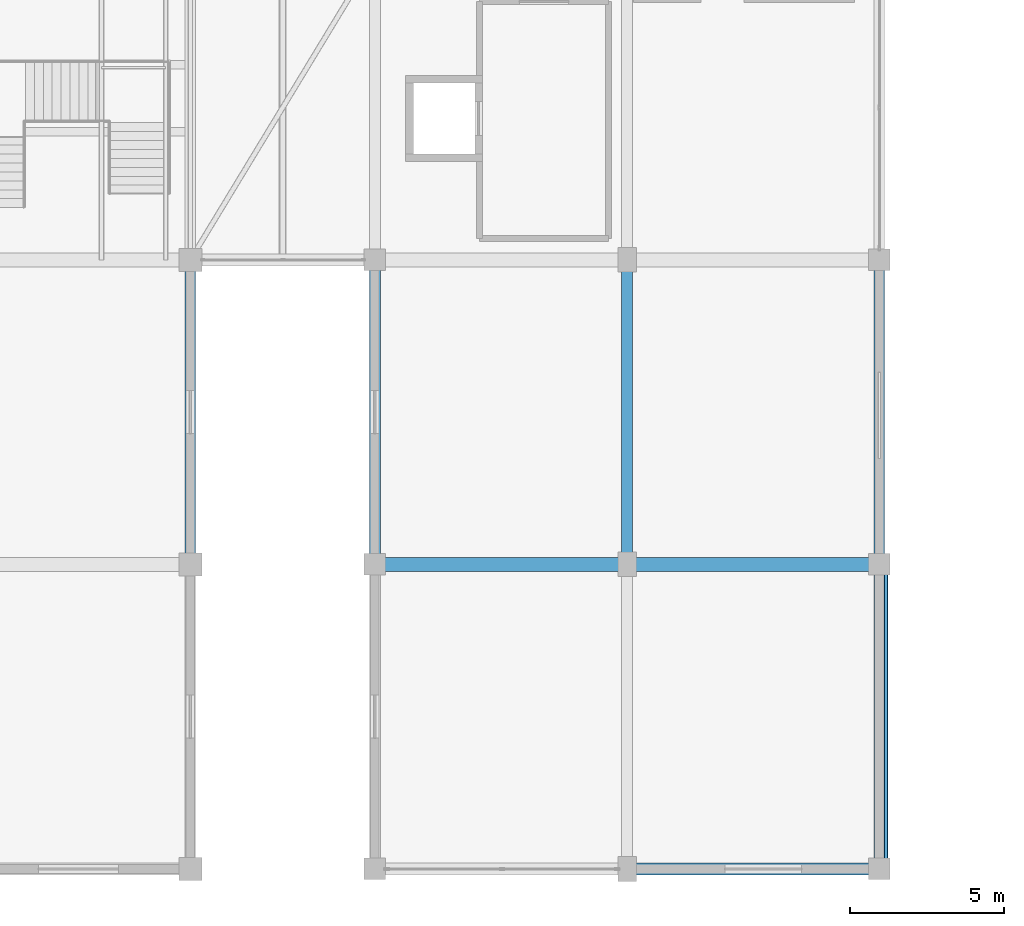
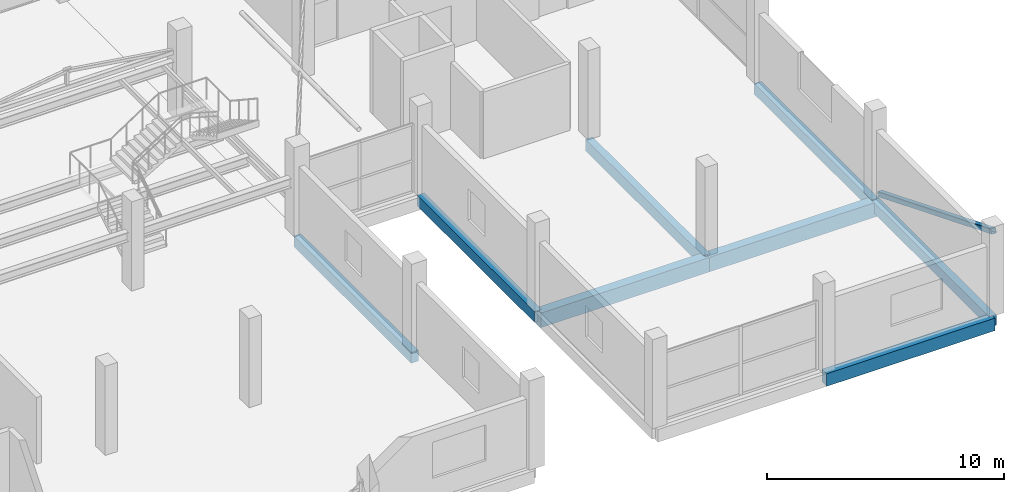
# One storey, part 14 of 55: 8 beams, 1 member.
"""IFC4 building model written with IfcOpenShell, lengths in metres."""

import ifcopenshell
import ifcopenshell.guid

model = None  # the IFC model being written
_history = None  # IfcOwnerHistory: only IFC2X3 demands one
_inside = {}  # id of a spatial element -> (the spatial element, [elements in it])
_under = {}  # id of a project, library or spatial element -> (it, [spatial elements below it])
_declared = {}  # id of a project -> (the project, [libraries it declares])
_typed = {}  # id of a type object -> (the type object, [elements of that type])
_made_of = {}  # id of a material, layer set ... -> (it, [elements and type objects made of it])


def new_model(schema):
    """Start an empty IFC model of exactly this schema.

    Asked for "IFC4X3", IfcOpenShell would pick the latest addendum, in which some entities
    have other attributes; the version numbers below select the first issue.
    IFC2X3 requires an IfcOwnerHistory on every rooted entity: one is made here for all.
    """
    global model, _history
    if schema == "IFC4X3":
        model = ifcopenshell.file(schema_version=(4, 3, 0, 0))
    else:
        model = ifcopenshell.file(schema=schema)
    _inside.clear()
    _under.clear()
    _declared.clear()
    _typed.clear()
    _made_of.clear()
    _history = None
    if model.schema == "IFC2X3":
        org = make("IfcOrganization", Name="unknown")
        user = make(
            "IfcPersonAndOrganization",
            ThePerson=make("IfcPerson", FamilyName="unknown"),
            TheOrganization=org,
        )
        app = make(
            "IfcApplication",
            ApplicationDeveloper=org,
            Version="unknown",
            ApplicationFullName="unknown",
            ApplicationIdentifier="unknown",
        )
        _history = make(
            "IfcOwnerHistory",
            OwningUser=user,
            OwningApplication=app,
            ChangeAction="ADDED",
            CreationDate=0,
        )
    return model


def make(cls, **values):
    """One entity of the class cls with the attributes given. An attribute that is None is left unset."""
    return model.create_entity(
        cls, **{name: value for name, value in values.items() if value is not None}
    )


def rooted(cls, **values):
    """An entity with a GlobalId (a new one), such as an element, a storey or a relation."""
    return make(cls, GlobalId=ifcopenshell.guid.new(), OwnerHistory=_history, **values)


def si_unit(unit_type, name, prefix=None):
    """IfcSIUnit, for example si_unit("LENGTHUNIT", "METRE", prefix="MILLI")."""
    return make("IfcSIUnit", UnitType=unit_type, Prefix=prefix, Name=name)


def assignment(units):
    """IfcUnitAssignment: the units of a project."""
    return None if units is None else make("IfcUnitAssignment", Units=units)


def point(xyz):
    """IfcCartesianPoint."""
    return None if xyz is None else make("IfcCartesianPoint", Coordinates=xyz)


def direction(xyz):
    """IfcDirection."""
    return None if xyz is None else make("IfcDirection", DirectionRatios=xyz)


def frame(location, z_axis=None, x_axis=None):
    """IfcAxis2Placement3D, a coordinate frame: its origin and axes. An axis left out is left unset."""
    return make(
        "IfcAxis2Placement3D",
        Location=point(location),
        Axis=direction(z_axis),
        RefDirection=direction(x_axis),
    )


def frame_2d(location, x_axis=None):
    """IfcAxis2Placement2D, a coordinate frame in the plane: its origin and x axis."""
    return make(
        "IfcAxis2Placement2D", Location=point(location), RefDirection=direction(x_axis)
    )


def origin():
    """The frame at (0, 0, 0) with its axes left unset."""
    return frame((0.0, 0.0, 0.0))


def origin_2d():
    """The frame at (0, 0) in the plane with its x axis left unset."""
    return frame_2d((0.0, 0.0))


def place(relative_to, where):
    """IfcLocalPlacement: puts the frame where relative to a parent placement (None: the world)."""
    return make(
        "IfcLocalPlacement", PlacementRelTo=relative_to, RelativePlacement=where
    )


def context(
    kind, dimensions, precision=None, world=None, true_north=None, identifier=None
):
    """IfcGeometricRepresentationContext, for example the 3D "Model" context."""
    return make(
        "IfcGeometricRepresentationContext",
        ContextIdentifier=identifier,
        ContextType=kind,
        CoordinateSpaceDimension=dimensions,
        Precision=precision,
        WorldCoordinateSystem=world,
        TrueNorth=true_north,
    )


def subcontext(parent, identifier, kind, view, scale=None):
    """IfcGeometricRepresentationSubContext, for example "Body" below "Model"."""
    return make(
        "IfcGeometricRepresentationSubContext",
        ContextIdentifier=identifier,
        ContextType=kind,
        ParentContext=parent,
        TargetScale=scale,
        TargetView=view,
    )


def project(units=None, contexts=None):
    """IfcProject with its units and contexts."""
    return rooted(
        "IfcProject",
        Name="project",
        RepresentationContexts=contexts,
        UnitsInContext=assignment(units),
    )


def spatial(cls, under=None, at=None, **own):
    """A site, building, storey or space (cls), placed at a placement, below another one or the project."""
    s = rooted(cls, ObjectPlacement=at, **own)
    if under is not None:
        _under.setdefault(under.id(), (under, []))[1].append(s)
    return s


def profile(cls, at=None, kind="AREA", **sizes):
    """A parametric profile (cls). Its sizes go by their IFC names, for example OverallWidth=200.0."""
    return make(cls, ProfileType=kind, Position=at, **sizes)


def rectangle(**sizes):
    """IfcRectangleProfileDef."""
    return profile("IfcRectangleProfileDef", **sizes)


def hollow_rectangle(**sizes):
    """IfcRectangleHollowProfileDef."""
    return profile("IfcRectangleHollowProfileDef", **sizes)


def extrude(swept, where, along, depth):
    """IfcExtrudedAreaSolid: the profile swept, set in the frame where, extruded along a direction by depth."""
    return make(
        "IfcExtrudedAreaSolid",
        SweptArea=swept,
        Position=where,
        ExtrudedDirection=direction(along),
        Depth=depth,
    )


def shape(context_of_items, identifier, shape_type, items):
    """IfcShapeRepresentation: the items that make up one representation, for example the "Body"."""
    return make(
        "IfcShapeRepresentation",
        ContextOfItems=context_of_items,
        RepresentationIdentifier=identifier,
        RepresentationType=shape_type,
        Items=items,
    )


def material(Name=None, Category=None):
    """IfcMaterial."""
    return make("IfcMaterial", Name=Name, Category=Category)


def material_profile(
    of_material, cross_section, Name=None, Category=None, Priority=None
):
    """IfcMaterialProfile: a cross section and its material."""
    return make(
        "IfcMaterialProfile",
        Name=Name,
        Material=of_material,
        Profile=cross_section,
        Priority=Priority,
        Category=Category,
    )


def profile_set(profiles, Name=None, composite=None):
    """IfcMaterialProfileSet."""
    return make(
        "IfcMaterialProfileSet",
        Name=Name,
        MaterialProfiles=profiles,
        CompositeProfile=composite,
    )


def made_of(thing, what):
    """Note that an element or type object is made of a material, layer set ...; save() writes the relation."""
    if what is not None:
        _made_of.setdefault(what.id(), (what, []))[1].append(thing)
    return thing


def type_object(cls, material=None, **own):
    """A type object (cls), such as IfcWallType, which elements share."""
    return made_of(rooted(cls, **own), material)


def element(
    cls,
    number,
    at=None,
    inside=None,
    cuts=None,
    type_object=None,
    material=None,
    context=None,
    identifier="Body",
    shape_type=None,
    held_by="IfcProductDefinitionShape",
    body=None,
    shapes=None,
    **own,
):
    """One element of the class cls, such as IfcWall. Its Tag is "e" and its number.

    at: its placement. inside: the storey or other place that contains it. cuts: it is an
    opening in that element (IfcRelVoidsElement). A single representation is given by context,
    identifier, shape_type and body (its items); several are given by shapes. held_by: the class
    of the entity that holds the representations. save() writes the other relations.
    """
    e = rooted(cls, Tag="e%d" % number, ObjectPlacement=at, **own)
    if body is not None:
        shapes = [shape(context, identifier, shape_type, body)]
    if shapes is not None:
        e.Representation = make(held_by, Representations=shapes)
    if inside is not None:
        _inside.setdefault(inside.id(), (inside, []))[1].append(e)
    if cuts is not None:
        rooted(
            "IfcRelVoidsElement", RelatingBuildingElement=cuts, RelatedOpeningElement=e
        )
    if type_object is not None:
        _typed.setdefault(type_object.id(), (type_object, []))[1].append(e)
    return made_of(e, material)


def aggregate(whole, parts):
    """IfcRelAggregates: a whole, such as a stair, and the parts it consists of."""
    return rooted("IfcRelAggregates", RelatingObject=whole, RelatedObjects=parts)


def save(model, path):
    """Write the relations noted so far, then the file.

    IfcRelAggregates (storeys below a building ...), IfcRelContainedInSpatialStructure (elements
    in a storey), IfcRelDefinesByType, IfcRelAssociatesMaterial and IfcRelDeclares: one each for
    every whole, place, type object, material and project.
    """
    for whole, parts in _under.values():
        aggregate(whole, parts)
    for where, things in _inside.values():
        rooted(
            "IfcRelContainedInSpatialStructure",
            RelatedElements=things,
            RelatingStructure=where,
        )
    for kind, things in _typed.values():
        rooted("IfcRelDefinesByType", RelatedObjects=things, RelatingType=kind)
    for what, things in _made_of.values():
        rooted("IfcRelAssociatesMaterial", RelatedObjects=things, RelatingMaterial=what)
    for by, libraries in _declared.values():
        rooted("IfcRelDeclares", RelatingContext=by, RelatedDefinitions=libraries)
    model.write(path)


model = new_model("IFC4")

# Units and contexts
model_context = context("Model", 3, precision=1e-05, world=origin(), true_north=direction((0.0, 1.0)))
body_context = subcontext(model_context, "Body", "Model", "MODEL_VIEW")
ifc_project = project(units=[si_unit("LENGTHUNIT", "METRE"), si_unit("AREAUNIT", "SQUARE_METRE"), si_unit("VOLUMEUNIT", "CUBIC_METRE"), si_unit("PLANEANGLEUNIT", "RADIAN"), si_unit("MASSUNIT", "GRAM", prefix="KILO")], contexts=[model_context])

# Site, building, storey
site_placement = place(None, origin())
site = spatial("IfcSite", under=ifc_project, at=site_placement, CompositionType="ELEMENT")
building_placement = place(site_placement, origin())
building = spatial("IfcBuilding", under=site, at=building_placement, Name="Sillaruma Civic Art Gallery", CompositionType="ELEMENT")
storey_placement = place(building_placement, frame((0.0, 0.0, 37.739990234375)))
storey = spatial("IfcBuildingStorey", under=building, at=storey_placement, Name="L07", CompositionType="ELEMENT", Elevation=37.739990234375)

# Beams
ifc_material_1 = material(Name="Concrete H35 (35 MPa)", Category="concrete")
ifc_material_profile_1 = material_profile(ifc_material_1, rectangle(XDim=0.35009765625, YDim=0.60009765625, at=origin_2d()), Name="RCB350x600")
ifc_profile_set_1 = profile_set([ifc_material_profile_1], Name="Concrete H35 (35 MPa)")
beam_type_1 = type_object("IfcBeamType", Name="BM-BEAM-RCB350x600", PredefinedType="BEAM", material=ifc_profile_set_1)
beam_1_placement = place(storey_placement, frame((106.199951171875, 29.699951171875, -0.5400390625), z_axis=(0.0, 1.0, 0.0), x_axis=(-1.0, 0.0, 0.0)))
element("IfcBeam", 1, at=beam_1_placement, inside=storey, type_object=beam_type_1, Name="Beam BM-06 (L06:M:4-5)", PredefinedType="BEAM", context=body_context, shape_type="SweptSolid", body=[
    extrude(rectangle(XDim=0.35009765625, YDim=0.60009765625, at=origin_2d()), origin(), (0.0, 0.0, 1.0), 9.900146484375),
])
ifc_material_2 = material(Name="Concrete H40 (40 MPa)", Category="concrete")
ifc_material_profile_2 = material_profile(ifc_material_2, rectangle(XDim=0.449951171875, YDim=0.75, at=origin_2d()), Name="RCB450x750")
ifc_profile_set_2 = profile_set([ifc_material_profile_2], Name="Concrete H40 (40 MPa)")
beam_type_2 = type_object("IfcBeamType", Name="BM-BEAM-RCB450x750", PredefinedType="BEAM", material=ifc_profile_set_2)
for number, where, z_axis, x_axis, name in (
    (2, (98.0, 29.699951171875, -0.614990234375), (1.0, 0.0, 0.0), (0.0, 1.0, 0.0), "Beam BM-03 (L06:4:L-M)"),
    (3, (106.199951171875, 29.699951171875, -0.614990234375), (1.0, 0.0, 0.0), (0.0, 1.0, 0.0), "Beam BM-03 (L06:4:M-N)"),
):
    element("IfcBeam", number, at=place(storey_placement, frame(where, z_axis=z_axis, x_axis=x_axis)), inside=storey, type_object=beam_type_2, Name=name, PredefinedType="BEAM", context=body_context, shape_type="SweptSolid", body=[
        extrude(rectangle(XDim=0.449951171875, YDim=0.75, at=origin_2d()), origin(), (0.0, 0.0, 1.0), 8.199951171875),
    ])
ifc_material_profile_3 = material_profile(ifc_material_1, rectangle(XDim=0.35009765625, YDim=0.550048828125, at=origin_2d()), Name="RCB350x550")
ifc_profile_set_3 = profile_set([ifc_material_profile_3], Name="Concrete H35 (35 MPa)")
beam_type_3 = type_object("IfcBeamType", Name="BM-SPANDREL-RCB350x550", PredefinedType="SPANDREL", material=ifc_profile_set_3)
for number, where, z_axis, x_axis, name in (
    (4, (92.0, 29.699951171875, -0.514892578125), (0.0, 1.0, 0.0), (-1.0, 0.0, 0.0), "Beam BS-04 (L06:K:4-5)"),
    (5, (98.0, 29.699951171875, -0.514892578125), (0.0, 1.0, 0.0), (-1.0, 0.0, 0.0), "Beam BS-04 (L06:L:4-5)"),
):
    element("IfcBeam", number, at=place(storey_placement, frame(where, z_axis=z_axis, x_axis=x_axis)), inside=storey, type_object=beam_type_3, Name=name, PredefinedType="SPANDREL", context=body_context, shape_type="SweptSolid", body=[
        extrude(rectangle(XDim=0.35009765625, YDim=0.550048828125, at=origin_2d()), origin(), (0.0, 0.0, 1.0), 9.900146484375),
    ])
beam_2_placement = place(storey_placement, frame((114.39990234375, 19.800048828125, -0.514892578125), z_axis=(0.0, 1.0, 0.0), x_axis=(-1.0, 0.0, 0.0)))
element("IfcBeam", 6, at=beam_2_placement, inside=storey, type_object=beam_type_3, Name="Beam BS-04 (L06:N:3-4)", PredefinedType="SPANDREL", context=body_context, shape_type="SweptSolid", body=[
    extrude(rectangle(XDim=0.35009765625, YDim=0.550048828125, at=origin_2d()), origin(), (0.0, 0.0, 1.0), 9.89990234375),
])
beam_3_placement = place(storey_placement, frame((114.39990234375, 29.699951171875, -0.514892578125), z_axis=(0.0, 1.0, 0.0), x_axis=(-1.0, 0.0, 0.0)))
element("IfcBeam", 7, at=beam_3_placement, inside=storey, type_object=beam_type_3, Name="Beam BS-04 (L06:N:4-5)", PredefinedType="SPANDREL", context=body_context, shape_type="SweptSolid", body=[
    extrude(rectangle(XDim=0.35009765625, YDim=0.550048828125, at=origin_2d()), origin(), (0.0, 0.0, 1.0), 9.900146484375),
])
ifc_material_profile_4 = material_profile(ifc_material_1, rectangle(XDim=0.39990234375, YDim=0.64990234375, at=origin_2d()), Name="RCB400x650")
ifc_profile_set_4 = profile_set([ifc_material_profile_4], Name="Concrete H35 (35 MPa)")
beam_type_4 = type_object("IfcBeamType", Name="BM-SPANDREL-RCB400x650", PredefinedType="SPANDREL", material=ifc_profile_set_4)
beam_4_placement = place(storey_placement, frame((106.199951171875, 19.800048828125, -0.56494140625), z_axis=(1.0, 0.0, 0.0), x_axis=(0.0, 1.0, 0.0)))
element("IfcBeam", 8, at=beam_4_placement, inside=storey, type_object=beam_type_4, Name="Beam BS-02 (L06:3:M-N)", PredefinedType="SPANDREL", context=body_context, shape_type="SweptSolid", body=[
    extrude(rectangle(XDim=0.39990234375, YDim=0.64990234375, at=origin_2d()), origin(), (0.0, 0.0, 1.0), 8.199951171875),
])

# Member
ifc_material_3 = material(Name="Structural Steel ASTM A500 Gr.C", Category="steel")
ifc_material_profile_5 = material_profile(ifc_material_3, hollow_rectangle(XDim=0.25, YDim=0.25, WallThickness=0.012451171875, InnerFilletRadius=0.012451171875, OuterFilletRadius=0.02490234375, at=origin_2d()), Name="HSS250x250x12.5")
ifc_profile_set_5 = profile_set([ifc_material_profile_5], Name="Structural Steel ASTM A500 Gr.C")
member_type = type_object("IfcMemberType", Name="MEM-MEGA-BRACE", PredefinedType="BRACE", material=ifc_profile_set_5)
member_placement = place(storey_placement, frame((114.550048828125, 29.52001953125, 0.10009765625), z_axis=(0.0, -0.927000235478, 0.375060746312), x_axis=(1.0, 0.0, 0.0)))
element("IfcMember", 9, at=member_placement, inside=storey, type_object=member_type, Name="Exterior Expressed Gallery Seismic Diagonal Brace (L07-ES)", PredefinedType="BRACE", context=body_context, shape_type="SweptSolid", body=[
    extrude(hollow_rectangle(XDim=0.25, YDim=0.25, WallThickness=0.012451171875, InnerFilletRadius=0.012451171875, OuterFilletRadius=0.02490234375, at=origin_2d()), origin(), (0.0, 0.0, 1.0), 10.291259765625),
])

save(model, "model.ifc")
